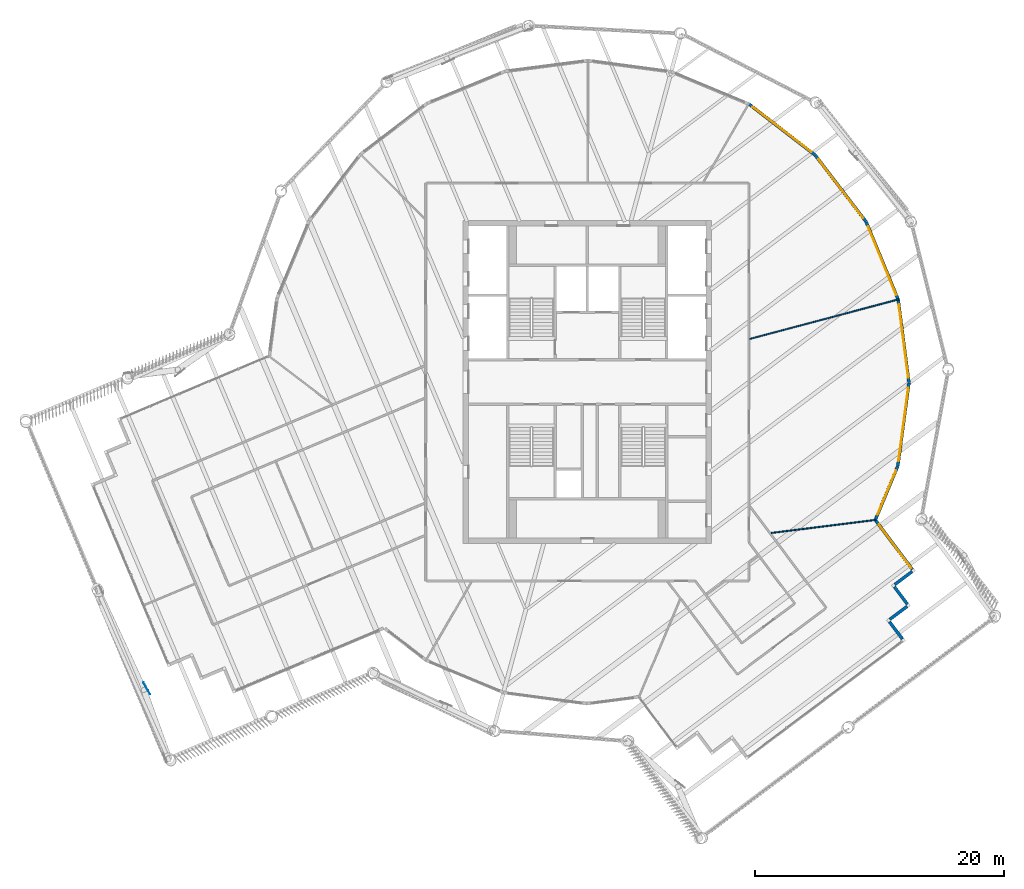
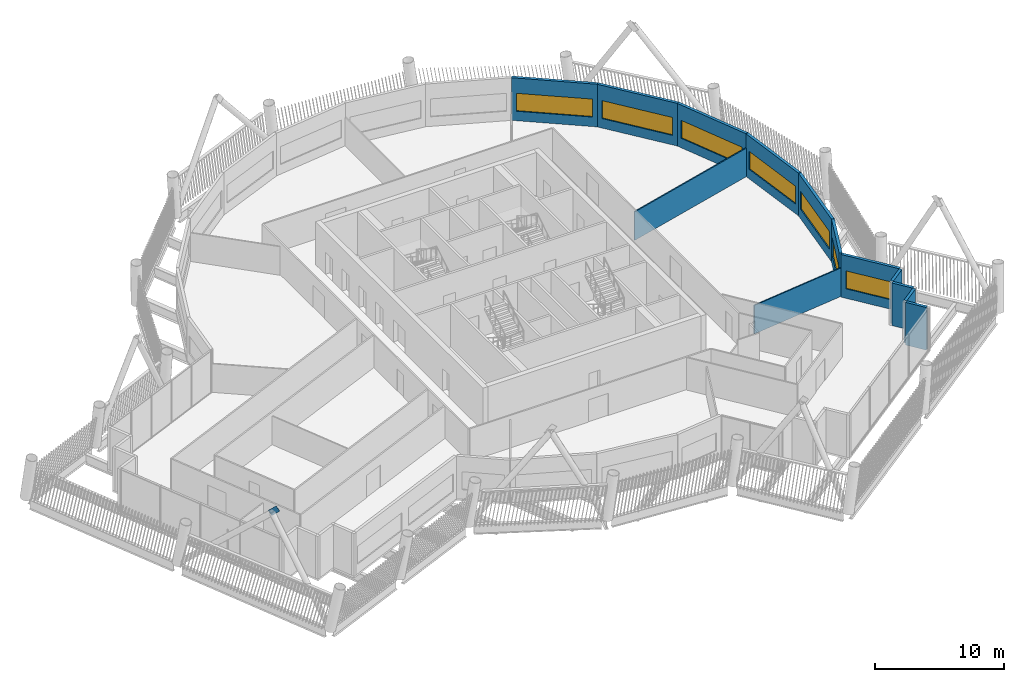
# One storey, part 20 of 35: 13 walls, 7 windows, 1 discrete accessory, 7 openings.
"""IFC4 building model written with IfcOpenShell, lengths in metres."""

from ifc_helpers import new_model, si_unit, direction, frame, frame_2d, origin, origin_2d, place, context, subcontext, project, spatial, rectangle, extrude, material, layer, layer_set, material_profile, profile_set, type_object, element, fill, save


model = new_model("IFC4")

# Units and contexts
model_context = context("Model", 3, precision=1e-05, world=origin(), true_north=direction((0.0, 1.0)))
body_context = subcontext(model_context, "Body", "Model", "MODEL_VIEW")
ifc_project = project(units=[si_unit("LENGTHUNIT", "METRE"), si_unit("AREAUNIT", "SQUARE_METRE"), si_unit("VOLUMEUNIT", "CUBIC_METRE"), si_unit("PLANEANGLEUNIT", "RADIAN"), si_unit("MASSUNIT", "GRAM", prefix="KILO")], contexts=[model_context])

# Site, building, storey
site_placement = place(None, origin())
site = spatial("IfcSite", under=ifc_project, at=site_placement, CompositionType="ELEMENT")
building_placement = place(site_placement, origin())
building = spatial("IfcBuilding", under=site, at=building_placement, Name="Tarsis Ring Headquarters", CompositionType="ELEMENT")
storey_placement = place(building_placement, frame((0.0, 0.0, 377.60009765625)))
storey = spatial("IfcBuildingStorey", under=building, at=storey_placement, Name="L89", CompositionType="ELEMENT", Elevation=377.60009765625)

# Walls
ifc_material_1 = material(Name="Gypsum board on steel studs", Category="steel")
ifc_layer_1 = layer(ifc_material_1, 0.10009765625)
ifc_layer_set_1 = layer_set([ifc_layer_1], Name="FL partition 100 unrated")
wall_type_1 = type_object("IfcWallType", Name="FL partition 100 unrated", PredefinedType="PARTITIONING", material=ifc_layer_set_1)
wall_1_placement = place(storey_placement, frame((13.067626953125, 3.47216796875, 0.0), z_axis=(0.0, 0.0, 1.0), x_axis=(0.966465092278, 0.256798024539, 0.0)))
element("IfcWall", 1, at=wall_1_placement, inside=storey, type_object=wall_type_1, Name="Partition PW3", PredefinedType="PARTITIONING", context=body_context, shape_type="SweptSolid", body=[
    extrude(rectangle(XDim=12.4267578125, YDim=0.10009765625, at=frame_2d((6.21337890625, 0.0))), origin(), (0.0, 0.0, 1.0), 2.699951171875),
])
wall_2_placement = place(storey_placement, frame((14.78271484375, -12.138916015625, 0.0), z_axis=(0.0, 0.0, 1.0), x_axis=(0.992269927015, 0.124098315625, 0.0)))
element("IfcWall", 2, at=wall_2_placement, inside=storey, type_object=wall_type_1, Name="Partition PW3", PredefinedType="PARTITIONING", context=body_context, shape_type="SweptSolid", body=[
    extrude(rectangle(XDim=8.506591796875, YDim=0.10009765625, at=frame_2d((4.25341796875, 0.0))), origin(), (0.0, 0.0, 1.0), 2.699951171875),
])
ifc_material_2 = material(Name="Terracotta clad insulated panel wall", Category="masonry")
ifc_layer_2 = layer(ifc_material_2, 0.25)
ifc_layer_set_2 = layer_set([ifc_layer_2], Name="Facade wall terracotta panel 250")
wall_type_2 = type_object("IfcWallType", Name="Facade wall terracotta panel 250", PredefinedType="STANDARD", material=ifc_layer_set_2)
for number, where, z_axis, x_axis, name in (
    (3, (25.353759765625, -20.67041015625, 0.0), (0.0, 0.0, 1.0), (-0.600200885142, 0.799849296727, 0.0), "External wall L89-12"),
    (4, (24.328369140625, -19.095703125, 0.0), (0.0, 0.0, 1.0), (0.799899547969, 0.600133912689, 0.0), "External wall L89-13"),
    (5, (25.753173828125, -17.870361328125, 0.0), (0.0, 0.0, 1.0), (-0.600200885142, 0.799849296727, 0.0), "External wall L89-14"),
    (6, (24.727783203125, -16.295654296875, 0.0), (0.0, 0.0, 1.0), (0.799899547969, 0.600133912689, 0.0), "External wall L89-15"),
):
    element("IfcWall", number, at=place(storey_placement, frame(where, z_axis=z_axis, x_axis=x_axis)), inside=storey, type_object=wall_type_2, Name=name, PredefinedType="STANDARD", context=body_context, shape_type="SweptSolid", body=[
        extrude(rectangle(XDim=1.75, YDim=0.25, at=frame_2d((0.875, 0.0))), origin(), (0.0, 0.0, 1.0), 4.039794921875),
    ])

# Wall, opening, window
wall_3_placement = place(storey_placement, frame((26.152587890625, -15.0703125, 0.0), z_axis=(0.0, 0.0, 1.0), x_axis=(-0.600143450939, 0.799892391698, 0.0)))
wall_3 = element("IfcWall", 7, at=wall_3_placement, inside=storey, type_object=wall_type_2, Name="External wall L89-16", PredefinedType="STANDARD", context=body_context, shape_type="SweptSolid", body=[
    extrude(rectangle(XDim=4.901123046875, YDim=0.25, at=frame_2d((2.45068359375, 0.0))), origin(), (0.0, 0.0, 1.0), 4.039794921875),
])
opening_1_placement = place(wall_3_placement, frame((0.150634765625, 0.0, 0.89990234375)))
opening_1 = element("IfcOpeningElement", 8, at=opening_1_placement, cuts=wall_3, Name="Opening WN03", PredefinedType="OPENING", context=body_context, shape_type="SweptSolid", body=[
    extrude(rectangle(XDim=4.35009765625, YDim=1.699951171875, at=frame_2d((2.175048828125, 0.85009765625))), frame((0.0, 0.135009765625, 0.0), z_axis=(0.0, -1.0, 0.0), x_axis=(1.0, 0.0, 0.0)), (0.0, 0.0, 1.0), 0.27001953125),
])
ifc_material_3 = material(Name="Aluminium framed double glazing", Category="aluminium")
window_type_1 = type_object("IfcWindowType", Name="Facade window 4350 x 1700", PartitioningType="SINGLE_PANEL", PredefinedType="WINDOW", material=ifc_material_3)
window_1_placement = place(opening_1_placement, origin())
window_1 = element("IfcWindow", 9, at=window_1_placement, inside=storey, type_object=window_type_1, Name="Window L89-16.1", OverallHeight=1.699951171875, OverallWidth=4.35009765625, PartitioningType="SINGLE_PANEL", PredefinedType="WINDOW", context=body_context, shape_type="SweptSolid", body=[
    extrude(rectangle(XDim=4.35009765625, YDim=1.699951171875, at=frame_2d((2.175048828125, 0.85009765625))), frame((0.0, 0.030029296875, 0.0), z_axis=(0.0, -1.0, 0.0), x_axis=(1.0, 0.0, 0.0)), (0.0, 0.0, 1.0), 0.06005859375),
])
fill(opening_1, window_1)

wall_4_placement = place(storey_placement, frame((23.19580078125, -11.02685546875, 0.0), z_axis=(0.0, 0.0, 1.0), x_axis=(0.384615384615, 0.923076923077, 0.0)))
wall_4 = element("IfcWall", 10, at=wall_4_placement, inside=storey, type_object=wall_type_2, Name="External wall L89-17", PredefinedType="STANDARD", context=body_context, shape_type="SweptSolid", body=[
    extrude(rectangle(XDim=4.617919921875, YDim=0.25, at=frame_2d((2.30908203125, 0.0))), origin(), (0.0, 0.0, 1.0), 4.039794921875),
])
opening_2_placement = place(wall_4_placement, frame((0.400390625, 0.0, 0.89990234375)))
opening_2 = element("IfcOpeningElement", 11, at=opening_2_placement, cuts=wall_4, Name="Opening WN02", PredefinedType="OPENING", context=body_context, shape_type="SweptSolid", body=[
    extrude(rectangle(XDim=3.85009765625, YDim=1.699951171875, at=frame_2d((1.925048828125, 0.85009765625))), frame((0.0, 0.135009765625, 0.0), z_axis=(0.0, -1.0, 0.0), x_axis=(1.0, 0.0, 0.0)), (0.0, 0.0, 1.0), 0.27001953125),
])
window_type_2 = type_object("IfcWindowType", Name="Facade window 3850 x 1700", PartitioningType="SINGLE_PANEL", PredefinedType="WINDOW", material=ifc_material_3)
window_2_placement = place(opening_2_placement, origin())
window_2 = element("IfcWindow", 12, at=window_2_placement, inside=storey, type_object=window_type_2, Name="Window L89-17.1", OverallHeight=1.699951171875, OverallWidth=3.85009765625, PartitioningType="SINGLE_PANEL", PredefinedType="WINDOW", context=body_context, shape_type="SweptSolid", body=[
    extrude(rectangle(XDim=3.85009765625, YDim=1.699951171875, at=frame_2d((1.925048828125, 0.85009765625))), frame((0.0, 0.030029296875, 0.0), z_axis=(0.0, -1.0, 0.0), x_axis=(1.0, 0.0, 0.0)), (0.0, 0.0, 1.0), 0.06005859375),
])
fill(opening_2, window_2)

wall_5_placement = place(storey_placement, frame((24.98046875, -6.732666015625, 0.0), z_axis=(0.0, 0.0, 1.0), x_axis=(0.132577691666, 0.991172616486, 0.0)))
wall_5 = element("IfcWall", 13, at=wall_5_placement, inside=storey, type_object=wall_type_2, Name="External wall L89-18", PredefinedType="STANDARD", context=body_context, shape_type="SweptSolid", body=[
    extrude(rectangle(XDim=6.721435546875, YDim=0.25, at=frame_2d((3.36083984375, 0.0))), origin(), (0.0, 0.0, 1.0), 4.039794921875),
])
opening_3_placement = place(wall_5_placement, frame((0.3857421875, 0.0, 0.89990234375)))
opening_3 = element("IfcOpeningElement", 14, at=opening_3_placement, cuts=wall_5, Name="Opening WN07", PredefinedType="OPENING", context=body_context, shape_type="SweptSolid", body=[
    extrude(rectangle(XDim=5.949951171875, YDim=1.699951171875, at=frame_2d((2.97509765625, 0.85009765625))), frame((0.0, 0.135009765625, 0.0), z_axis=(0.0, -1.0, 0.0), x_axis=(1.0, 0.0, 0.0)), (0.0, 0.0, 1.0), 0.27001953125),
])
window_type_3 = type_object("IfcWindowType", Name="Facade window 5950 x 1700", PartitioningType="SINGLE_PANEL", PredefinedType="WINDOW", material=ifc_material_3)
window_3_placement = place(opening_3_placement, origin())
window_3 = element("IfcWindow", 15, at=window_3_placement, inside=storey, type_object=window_type_3, Name="Window L89-18.1", OverallHeight=1.699951171875, OverallWidth=5.949951171875, PartitioningType="SINGLE_PANEL", PredefinedType="WINDOW", context=body_context, shape_type="SweptSolid", body=[
    extrude(rectangle(XDim=5.949951171875, YDim=1.699951171875, at=frame_2d((2.97509765625, 0.85009765625))), frame((0.0, 0.030029296875, 0.0), z_axis=(0.0, -1.0, 0.0), x_axis=(1.0, 0.0, 0.0)), (0.0, 0.0, 1.0), 0.06005859375),
])
fill(opening_3, window_3)

wall_6_placement = place(storey_placement, frame((25.871826171875, -0.037841796875, 0.0), z_axis=(0.0, 0.0, 1.0), x_axis=(-0.128472660922, 0.991713050935, 0.0)))
wall_6 = element("IfcWall", 16, at=wall_6_placement, inside=storey, type_object=wall_type_2, Name="External wall L89-19", PredefinedType="STANDARD", context=body_context, shape_type="SweptSolid", body=[
    extrude(rectangle(XDim=6.721435546875, YDim=0.25, at=frame_2d((3.36083984375, 0.0))), origin(), (0.0, 0.0, 1.0), 4.039794921875),
])
opening_4_placement = place(wall_6_placement, frame((0.3857421875, 0.0, 0.89990234375)))
opening_4 = element("IfcOpeningElement", 17, at=opening_4_placement, cuts=wall_6, Name="Opening WN07", PredefinedType="OPENING", context=body_context, shape_type="SweptSolid", body=[
    extrude(rectangle(XDim=5.949951171875, YDim=1.699951171875, at=frame_2d((2.97509765625, 0.85009765625))), frame((0.0, 0.135009765625, 0.0), z_axis=(0.0, -1.0, 0.0), x_axis=(1.0, 0.0, 0.0)), (0.0, 0.0, 1.0), 0.27001953125),
])
window_4_placement = place(opening_4_placement, origin())
window_4 = element("IfcWindow", 18, at=window_4_placement, inside=storey, type_object=window_type_3, Name="Window L89-19.1", OverallHeight=1.699951171875, OverallWidth=5.949951171875, PartitioningType="SINGLE_PANEL", PredefinedType="WINDOW", context=body_context, shape_type="SweptSolid", body=[
    extrude(rectangle(XDim=5.949951171875, YDim=1.699951171875, at=frame_2d((2.97509765625, 0.85009765625))), frame((0.0, 0.030029296875, 0.0), z_axis=(0.0, -1.0, 0.0), x_axis=(1.0, 0.0, 0.0)), (0.0, 0.0, 1.0), 0.06005859375),
])
fill(opening_4, window_4)

wall_7_placement = place(storey_placement, frame((25.0, 6.659423828125, 0.0), z_axis=(0.0, 0.0, 1.0), x_axis=(-0.380758939356, 0.924674337321, 0.0)))
wall_7 = element("IfcWall", 19, at=wall_7_placement, inside=storey, type_object=wall_type_2, Name="External wall L89-20", PredefinedType="STANDARD", context=body_context, shape_type="SweptSolid", body=[
    extrude(rectangle(XDim=6.7216796875, YDim=0.25, at=frame_2d((3.36083984375, 0.0))), origin(), (0.0, 0.0, 1.0), 4.039794921875),
])
opening_5_placement = place(wall_7_placement, frame((0.3857421875, 0.0, 0.89990234375)))
opening_5 = element("IfcOpeningElement", 20, at=opening_5_placement, cuts=wall_7, Name="Opening WN07", PredefinedType="OPENING", context=body_context, shape_type="SweptSolid", body=[
    extrude(rectangle(XDim=5.949951171875, YDim=1.699951171875, at=frame_2d((2.97509765625, 0.85009765625))), frame((0.0, 0.135009765625, 0.0), z_axis=(0.0, -1.0, 0.0), x_axis=(1.0, 0.0, 0.0)), (0.0, 0.0, 1.0), 0.27001953125),
])
window_5_placement = place(opening_5_placement, origin())
window_5 = element("IfcWindow", 21, at=window_5_placement, inside=storey, type_object=window_type_3, Name="Window L89-20.1", OverallHeight=1.699951171875, OverallWidth=5.949951171875, PartitioningType="SINGLE_PANEL", PredefinedType="WINDOW", context=body_context, shape_type="SweptSolid", body=[
    extrude(rectangle(XDim=5.949951171875, YDim=1.699951171875, at=frame_2d((2.97509765625, 0.85009765625))), frame((0.0, 0.030029296875, 0.0), z_axis=(0.0, -1.0, 0.0), x_axis=(1.0, 0.0, 0.0)), (0.0, 0.0, 1.0), 0.06005859375),
])
fill(opening_5, window_5)

wall_8_placement = place(storey_placement, frame((22.424560546875, 12.903076171875, 0.0), z_axis=(0.0, 0.0, 1.0), x_axis=(-0.60709546579, 0.794628904217, 0.0)))
wall_8 = element("IfcWall", 22, at=wall_8_placement, inside=storey, type_object=wall_type_2, Name="External wall L89-21", PredefinedType="STANDARD", context=body_context, shape_type="SweptSolid", body=[
    extrude(rectangle(XDim=6.721435546875, YDim=0.25, at=frame_2d((3.36083984375, 0.0))), origin(), (0.0, 0.0, 1.0), 4.039794921875),
])
opening_6_placement = place(wall_8_placement, frame((0.3857421875, 0.0, 0.89990234375)))
opening_6 = element("IfcOpeningElement", 23, at=opening_6_placement, cuts=wall_8, Name="Opening WN07", PredefinedType="OPENING", context=body_context, shape_type="SweptSolid", body=[
    extrude(rectangle(XDim=5.949951171875, YDim=1.699951171875, at=frame_2d((2.97509765625, 0.85009765625))), frame((0.0, 0.135009765625, 0.0), z_axis=(0.0, -1.0, 0.0), x_axis=(1.0, 0.0, 0.0)), (0.0, 0.0, 1.0), 0.27001953125),
])
window_6_placement = place(opening_6_placement, origin())
window_6 = element("IfcWindow", 24, at=window_6_placement, inside=storey, type_object=window_type_3, Name="Window L89-21.1", OverallHeight=1.699951171875, OverallWidth=5.949951171875, PartitioningType="SINGLE_PANEL", PredefinedType="WINDOW", context=body_context, shape_type="SweptSolid", body=[
    extrude(rectangle(XDim=5.949951171875, YDim=1.699951171875, at=frame_2d((2.97509765625, 0.85009765625))), frame((0.0, 0.030029296875, 0.0), z_axis=(0.0, -1.0, 0.0), x_axis=(1.0, 0.0, 0.0)), (0.0, 0.0, 1.0), 0.06005859375),
])
fill(opening_6, window_6)

wall_9_placement = place(storey_placement, frame((18.32080078125, 18.267333984375, 0.0), z_axis=(0.0, 0.0, 1.0), x_axis=(-0.792072760143, 0.610426688997, 0.0)))
wall_9 = element("IfcWall", 25, at=wall_9_placement, inside=storey, type_object=wall_type_2, Name="External wall L89-22", PredefinedType="STANDARD", context=body_context, shape_type="SweptSolid", body=[
    extrude(rectangle(XDim=6.7216796875, YDim=0.25, at=frame_2d((3.36083984375, 0.0))), origin(), (0.0, 0.0, 1.0), 4.039794921875),
])
opening_7_placement = place(wall_9_placement, frame((0.3857421875, 0.0, 0.89990234375)))
opening_7 = element("IfcOpeningElement", 26, at=opening_7_placement, cuts=wall_9, Name="Opening WN07", PredefinedType="OPENING", context=body_context, shape_type="SweptSolid", body=[
    extrude(rectangle(XDim=5.949951171875, YDim=1.699951171875, at=frame_2d((2.97509765625, 0.85009765625))), frame((0.0, 0.135009765625, 0.0), z_axis=(0.0, -1.0, 0.0), x_axis=(1.0, 0.0, 0.0)), (0.0, 0.0, 1.0), 0.27001953125),
])
window_7_placement = place(opening_7_placement, origin())
window_7 = element("IfcWindow", 27, at=window_7_placement, inside=storey, type_object=window_type_3, Name="Window L89-22.1", OverallHeight=1.699951171875, OverallWidth=5.949951171875, PartitioningType="SINGLE_PANEL", PredefinedType="WINDOW", context=body_context, shape_type="SweptSolid", body=[
    extrude(rectangle(XDim=5.949951171875, YDim=1.699951171875, at=frame_2d((2.97509765625, 0.85009765625))), frame((0.0, 0.030029296875, 0.0), z_axis=(0.0, -1.0, 0.0), x_axis=(1.0, 0.0, 0.0)), (0.0, 0.0, 1.0), 0.06005859375),
])
fill(opening_7, window_7)

# Discrete accessory
ifc_material_4 = material(Name="Structural steel S355", Category="steel")
ifc_material_profile = material_profile(ifc_material_4, rectangle(XDim=0.02490234375, YDim=0.5, at=origin_2d()), Name="PL 25x500")
ifc_profile_set = profile_set([ifc_material_profile], Name="Structural steel S355")
discrete_accessory_type = type_object("IfcDiscreteAccessoryType", Name="Gusset plate Exo brace 25", PredefinedType="BRACKET", material=ifc_profile_set)
discrete_accessory_placement = place(storey_placement, frame((-35.620361328125, -24.322021484375, 8.057861328125), z_axis=(0.348862345775, -0.640598177266, 0.684053388986), x_axis=(0.878215140538, 0.478265791093, 0.0)))
element("IfcDiscreteAccessory", 28, at=discrete_accessory_placement, inside=storey, type_object=discrete_accessory_type, Name="Gusset plate GP5", PredefinedType="BRACKET", context=body_context, shape_type="SweptSolid", body=[
    extrude(rectangle(XDim=0.02490234375, YDim=0.5, at=origin_2d()), origin(), (0.0, 0.0, 1.0), 1.0),
])

save(model, "model.ifc")
